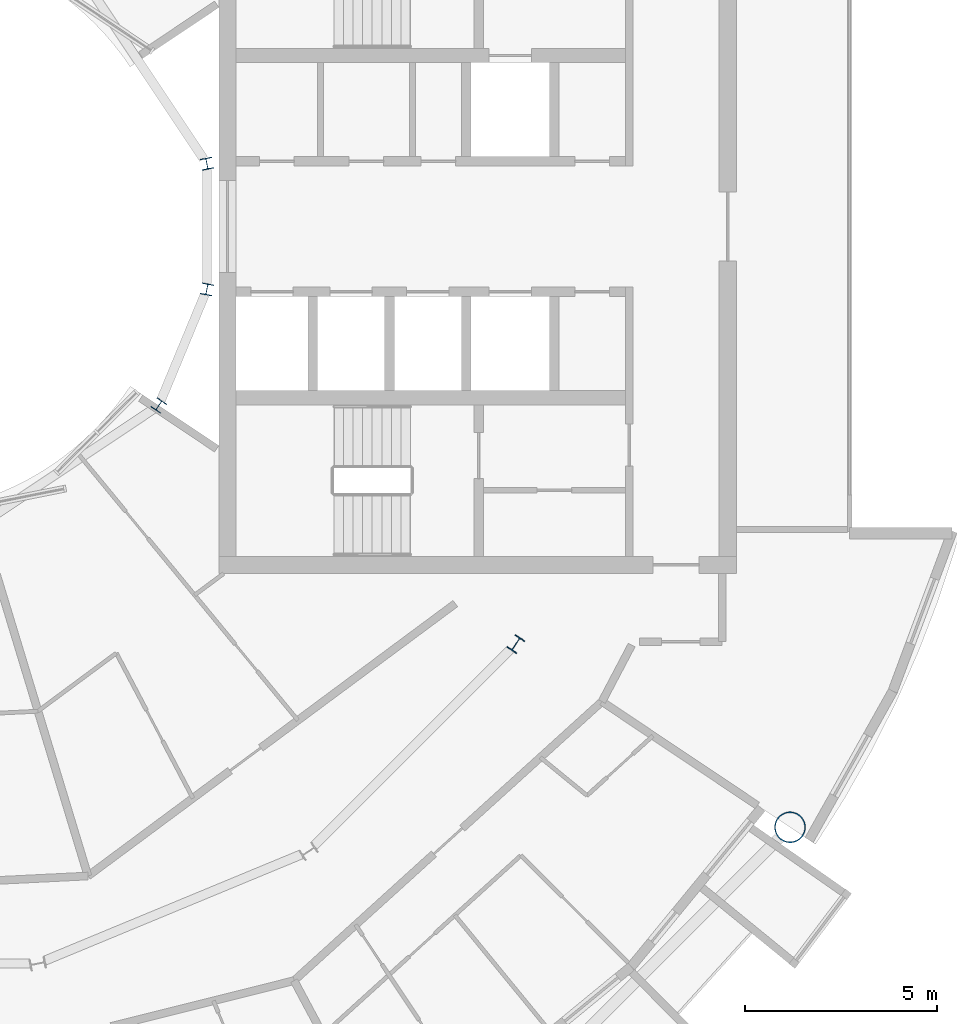
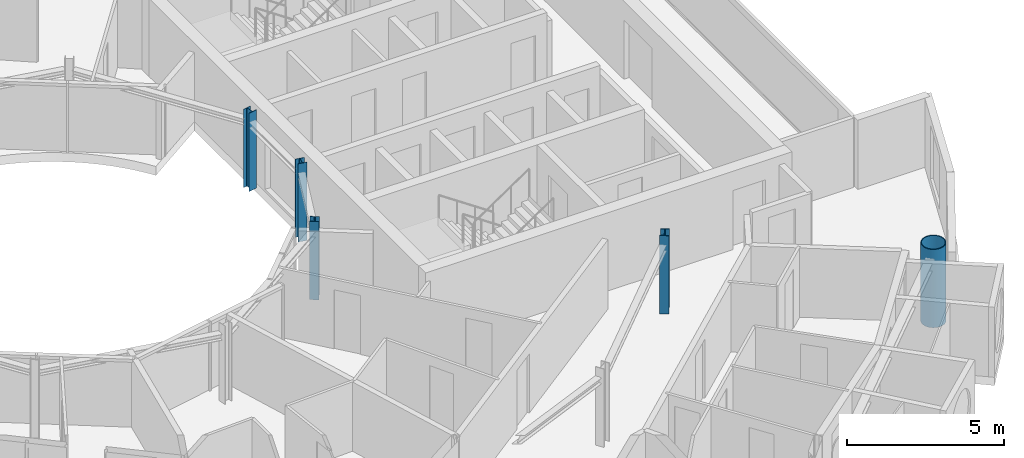
# One storey, part 3 of 29: 5 columns.
"""IFC4 building model written with IfcOpenShell, lengths in metres."""

from ifc_helpers import new_model, si_unit, direction, frame, origin, origin_2d, place, context, subcontext, project, spatial, hollow_circle, i_section, extrude, material, material_profile, profile_set, type_object, element, save


model = new_model("IFC4")

# Units and contexts
model_context = context("Model", 3, precision=1e-05, world=origin(), true_north=direction((0.0, 1.0)))
body_context = subcontext(model_context, "Body", "Model", "MODEL_VIEW")
ifc_project = project(units=[si_unit("LENGTHUNIT", "METRE"), si_unit("AREAUNIT", "SQUARE_METRE"), si_unit("VOLUMEUNIT", "CUBIC_METRE"), si_unit("PLANEANGLEUNIT", "RADIAN"), si_unit("MASSUNIT", "GRAM", prefix="KILO")], contexts=[model_context])

# Site, building, storey
site_placement = place(None, origin())
site = spatial("IfcSite", under=ifc_project, at=site_placement, CompositionType="ELEMENT")
building_placement = place(site_placement, origin())
building = spatial("IfcBuilding", under=site, at=building_placement, Name="Maasbend Ring Residences", CompositionType="ELEMENT")
storey_placement = place(building_placement, frame((0.0, 0.0, 193.25)))
storey = spatial("IfcBuildingStorey", under=building, at=storey_placement, Name="L55", CompositionType="ELEMENT", Elevation=193.25)

# Columns
ifc_material_1 = material(Name="Composite concrete-filled steel tube S460NH / C80/95", Category="concrete")
ifc_material_profile_1 = material_profile(ifc_material_1, hollow_circle(Radius=0.406494140625, WallThickness=0.030029296875, at=origin_2d()), Name="Composite tube column CHS 813x30")
ifc_profile_set_1 = profile_set([ifc_material_profile_1], Name="Composite concrete-filled steel tube S460NH / C80/95")
column_type_1 = type_object("IfcColumnType", Name="Composite tube column CHS 813x30", PredefinedType="COLUMN", material=ifc_profile_set_1)
column_1_placement = place(storey_placement, frame((23.447509765625, -15.6669921875, 0.0), z_axis=(0.0, 0.0, 1.0), x_axis=(1.0, 0.0, 0.0)))
element("IfcColumn", 1, at=column_1_placement, inside=storey, type_object=column_type_1, Name="Outer column R15", PredefinedType="COLUMN", context=body_context, shape_type="SweptSolid", body=[
    extrude(hollow_circle(Radius=0.406494140625, WallThickness=0.030029296875, at=origin_2d()), origin(), (0.0, 0.0, 1.0), 3.050048828125),
])
ifc_material_2 = material(Name="Steel S355J2", Category="steel")
ifc_material_profile_2 = material_profile(ifc_material_2, i_section(OverallWidth=0.300048828125, OverallDepth=0.2900390625, WebThickness=0.008544921875, FlangeThickness=0.013916015625, FilletRadius=0.027099609375, at=origin_2d()), Name="HEA 300")
ifc_profile_set_2 = profile_set([ifc_material_profile_2], Name="Steel S355J2")
column_type_2 = type_object("IfcColumnType", Name="Steel column HEA 300", PredefinedType="COLUMN", material=ifc_profile_set_2)
for number, where, z_axis, x_axis, name in (
    (2, (8.238525390625, 1.638916015625, 0.0), (0.0, 0.0, 1.0), (0.980785280403, 0.195090322016, 0.0), "Well ring column R1"),
    (3, (6.984375, -4.666748046875, 0.0), (0.0, 0.0, 1.0), (0.831469612303, -0.55557023302, 0.0), "Well ring column R15"),
    (4, (8.238525390625, -1.638916015625, 0.0), (0.0, 0.0, 1.0), (0.980785280403, -0.195090322016, 0.0), "Well ring column R16"),
):
    element("IfcColumn", number, at=place(storey_placement, frame(where, z_axis=z_axis, x_axis=x_axis)), inside=storey, type_object=column_type_2, Name=name, PredefinedType="COLUMN", context=body_context, shape_type="SweptSolid", body=[
        extrude(i_section(OverallWidth=0.300048828125, OverallDepth=0.2900390625, WebThickness=0.008544921875, FlangeThickness=0.013916015625, FilletRadius=0.027099609375, at=origin_2d()), origin(), (0.0, 0.0, 1.0), 3.050048828125),
    ])
ifc_material_3 = material(Name="Steel S355J2", Category="steel")
ifc_material_profile_3 = material_profile(ifc_material_3, i_section(OverallWidth=0.300048828125, OverallDepth=0.39990234375, WebThickness=0.013427734375, FlangeThickness=0.02392578125, FilletRadius=0.027099609375, at=origin_2d()), Name="HEB 400")
ifc_profile_set_3 = profile_set([ifc_material_profile_3], Name="Steel S355J2")
column_type_3 = type_object("IfcColumnType", Name="Steel column HEB 400", PredefinedType="COLUMN", material=ifc_profile_set_3)
column_2_placement = place(storey_placement, frame((16.296875, -10.88916015625, 0.0), z_axis=(0.0, 0.0, 1.0), x_axis=(0.831469612303, -0.55557023302, 0.0)))
element("IfcColumn", 5, at=column_2_placement, inside=storey, type_object=column_type_3, Name="Corridor ring column R15", PredefinedType="COLUMN", context=body_context, shape_type="SweptSolid", body=[
    extrude(i_section(OverallWidth=0.300048828125, OverallDepth=0.39990234375, WebThickness=0.013427734375, FlangeThickness=0.02392578125, FilletRadius=0.027099609375, at=origin_2d()), origin(), (0.0, 0.0, 1.0), 3.050048828125),
])

save(model, "model.ifc")
